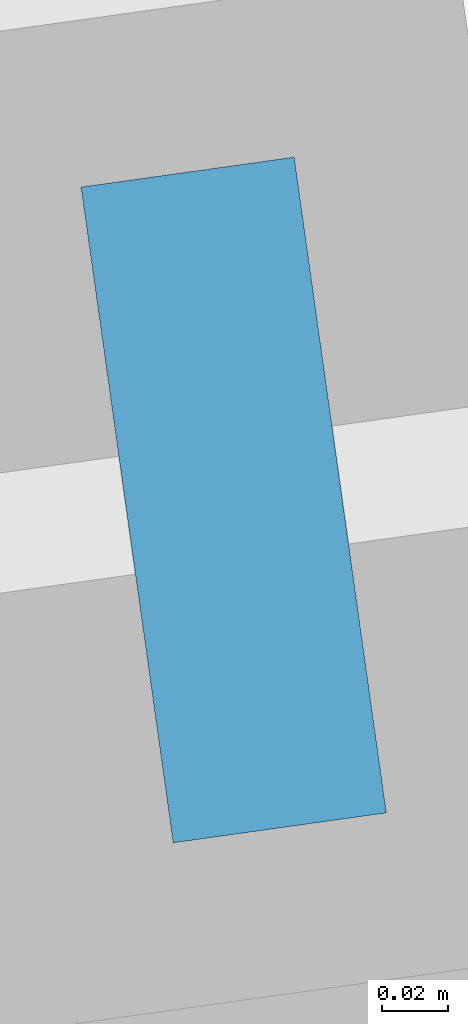
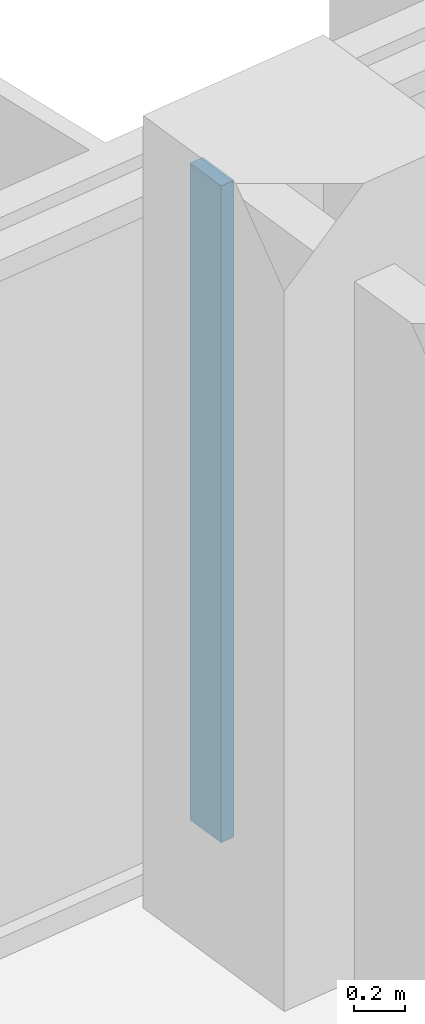
# One storey, part 8 of 26: 1 member, 1 element without a shape of its own.
"""IFC4 building model written with IfcOpenShell, lengths in metres."""

from ifc_helpers import new_model, si_unit, direction, frame, origin, origin_2d, place, context, subcontext, project, spatial, rectangle, extrude, material, material_profile, profile_set, type_object, element, aggregate, save


model = new_model("IFC4")

# Units and contexts
model_context = context("Model", 3, precision=1e-05, world=origin(), true_north=direction((0.0, 1.0)))
body_context = subcontext(model_context, "Body", "Model", "MODEL_VIEW")
ifc_project = project(units=[si_unit("LENGTHUNIT", "METRE"), si_unit("AREAUNIT", "SQUARE_METRE"), si_unit("VOLUMEUNIT", "CUBIC_METRE"), si_unit("PLANEANGLEUNIT", "RADIAN"), si_unit("MASSUNIT", "GRAM", prefix="KILO")], contexts=[model_context])

# Site, building, storey
site_placement = place(None, origin())
site = spatial("IfcSite", under=ifc_project, at=site_placement, CompositionType="ELEMENT")
building_placement = place(site_placement, origin())
building = spatial("IfcBuilding", under=site, at=building_placement, Name="Mirante Cascada Hotel Towers", CompositionType="ELEMENT")
storey_placement = place(building_placement, frame((0.0, 0.0, 98.7)))
storey = spatial("IfcBuildingStorey", under=building, at=storey_placement, Name="L21", CompositionType="ELEMENT", Elevation=98.7)

# Curtain wall, member
ifc_material_1 = material(Name="Aluminium mullion and transom frame with clear laminated glass", Category="aluminium")
curtain_wall_type = type_object("IfcCurtainWallType", Name="Ribbon curtain wall ECW1", PredefinedType="NOTDEFINED", material=ifc_material_1)
curtain_wall_placement = place(storey_placement, origin())
curtain_wall = element("IfcCurtainWall", 1, at=curtain_wall_placement, inside=storey, type_object=curtain_wall_type, Name="Front ribbon wall T2 L21", PredefinedType="NOTDEFINED")
ifc_material_2 = material(Name="Anodised aluminium extrusion", Category="aluminium")
ifc_material_profile = material_profile(ifc_material_2, rectangle(XDim=0.2, YDim=0.065, at=origin_2d()), Name="ECW1 MULLION 65x200")
ifc_profile_set = profile_set([ifc_material_profile], Name="Anodised aluminium extrusion")
member_type = type_object("IfcMemberType", Name="ECW1 mullion 65x200", PredefinedType="MULLION", material=ifc_profile_set)
member_placement = place(storey_placement, frame((54.1241, 20.4257, 0.1), z_axis=(0.0, 0.0, 1.0), x_axis=(0.1391731, -0.9902681, 0.0)))
member = element("IfcMember", 2, at=member_placement, type_object=member_type, Name="ECW1 mullion 8", PredefinedType="MULLION", context=body_context, shape_type="SweptSolid", body=[
    extrude(rectangle(XDim=0.2, YDim=0.065, at=origin_2d()), origin(), (0.0, 0.0, 1.0), 3.15),
])
aggregate(curtain_wall, [member])

save(model, "model.ifc")
